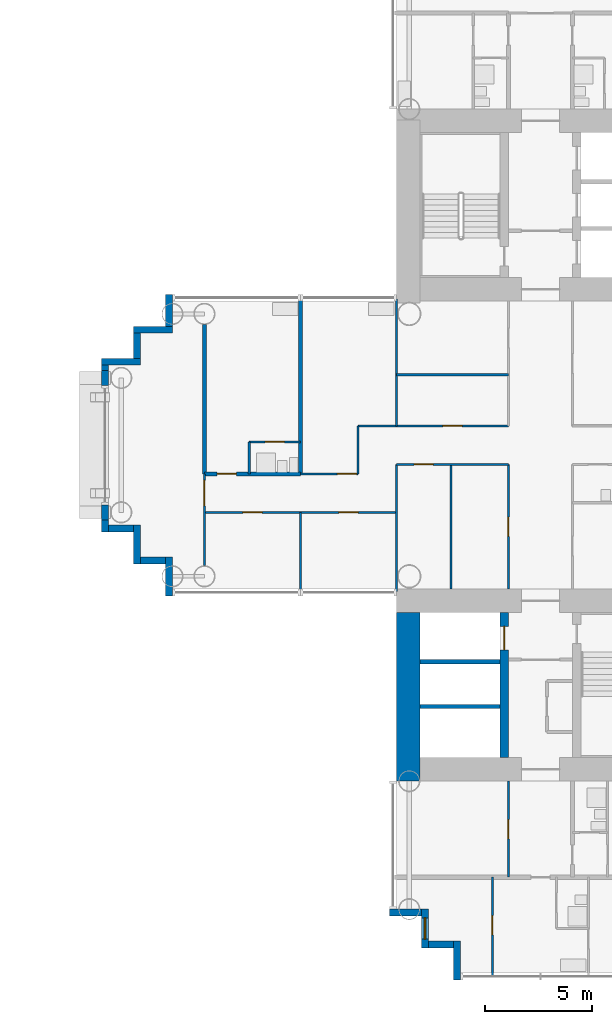
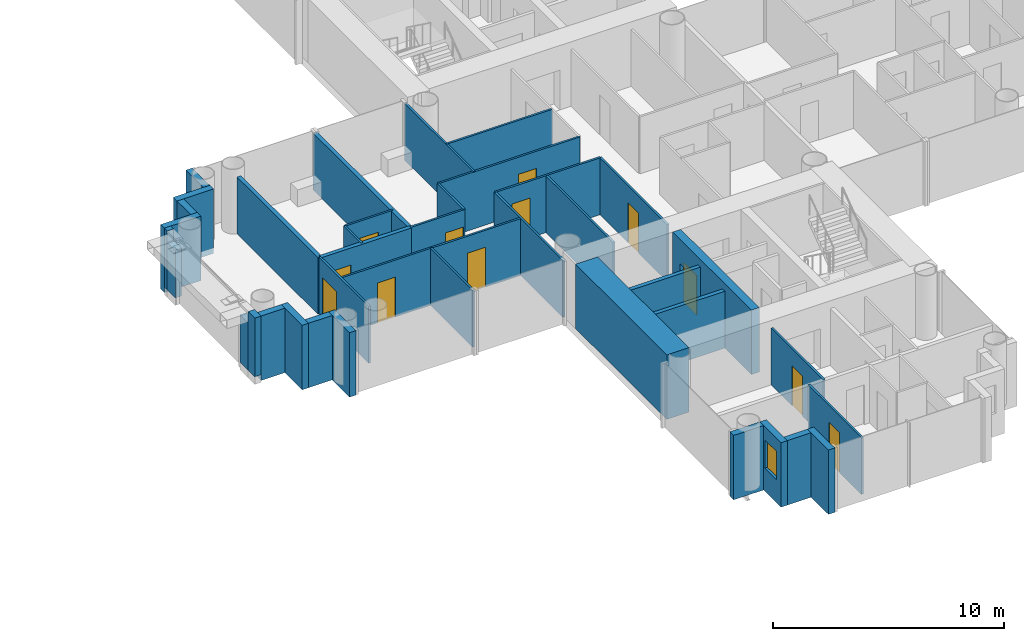
# One storey, part 13 of 22: 39 walls, 12 doors, 1 window, 13 openings.
"""IFC4 building model written with IfcOpenShell, lengths in metres."""

from ifc_helpers import new_model, si_unit, direction, frame, frame_2d, origin, place, context, subcontext, project, spatial, rectangle, extrude, material, layer, layer_set, type_object, element, fill, save


model = new_model("IFC4")

# Units and contexts
model_context = context("Model", 3, precision=1e-05, world=origin(), true_north=direction((0.0, 1.0)))
body_context = subcontext(model_context, "Body", "Model", "MODEL_VIEW")
ifc_project = project(units=[si_unit("LENGTHUNIT", "METRE"), si_unit("AREAUNIT", "SQUARE_METRE"), si_unit("VOLUMEUNIT", "CUBIC_METRE"), si_unit("PLANEANGLEUNIT", "RADIAN"), si_unit("MASSUNIT", "GRAM", prefix="KILO")], contexts=[model_context])

# Site, building, storey
site_placement = place(None, origin())
site = spatial("IfcSite", under=ifc_project, at=site_placement, CompositionType="ELEMENT")
building_placement = place(site_placement, origin())
building = spatial("IfcBuilding", under=site, at=building_placement, Name="Ipe Terrace Towers", CompositionType="ELEMENT")
storey_placement = place(building_placement, frame((0.0, 0.0, 68.699951171875)))
storey = spatial("IfcBuildingStorey", under=building, at=storey_placement, Name="L18", CompositionType="ELEMENT", Elevation=68.699951171875)

# Walls
ifc_material_1 = material(Name="Concrete C40/50 with buff precast cladding", Category="concrete")
ifc_layer_1 = layer(ifc_material_1, 0.320068359375)
ifc_layer_set_1 = layer_set([ifc_layer_1], Name="BUFF CLADDING WALL 320")
wall_type_1 = type_object("IfcWallType", Name="BUFF CLADDING WALL 320", PredefinedType="STANDARD", material=ifc_layer_set_1)
wall_1_placement = place(storey_placement, frame((18.590087890625, 7.070068359375, -0.300048828125), z_axis=(0.0, 0.0, 1.0), x_axis=(0.0, -1.0, 0.0)))
element("IfcWall", 1, at=wall_1_placement, inside=storey, type_object=wall_type_1, Name="T2-W-L18-34a wall", PredefinedType="STANDARD", context=body_context, shape_type="SweptSolid", body=[
    extrude(rectangle(XDim=1.5, YDim=0.320068359375, at=frame_2d((0.75, 0.0))), origin(), (0.0, 0.0, 1.0), 3.400146484375),
])
wall_2_placement = place(storey_placement, frame((18.75, 5.409912109375, -0.300048828125), z_axis=(0.0, 0.0, 1.0), x_axis=(-1.0, 0.0, 0.0)))
element("IfcWall", 2, at=wall_2_placement, inside=storey, type_object=wall_type_1, Name="T2-W-L18-35a wall", PredefinedType="STANDARD", context=body_context, shape_type="SweptSolid", body=[
    extrude(rectangle(XDim=1.820068359375, YDim=0.320068359375, at=frame_2d((0.91015625, 0.0))), origin(), (0.0, 0.0, 1.0), 3.400146484375),
])
wall_3_placement = place(storey_placement, frame((17.090087890625, 5.25, -0.300048828125), z_axis=(0.0, 0.0, 1.0), x_axis=(0.0, -1.0, 0.0)))
element("IfcWall", 3, at=wall_3_placement, inside=storey, type_object=wall_type_1, Name="T2-W-L18-36a wall", PredefinedType="STANDARD", context=body_context, shape_type="SweptSolid", body=[
    extrude(rectangle(XDim=1.179931640625, YDim=0.320068359375, at=frame_2d((0.58984375, 0.0))), origin(), (0.0, 0.0, 1.0), 3.400146484375),
])
wall_4_placement = place(storey_placement, frame((17.25, 3.909912109375, -0.300048828125), z_axis=(0.0, 0.0, 1.0), x_axis=(-1.0, 0.0, 0.0)))
element("IfcWall", 4, at=wall_4_placement, inside=storey, type_object=wall_type_1, Name="T2-W-L18-37a wall", PredefinedType="STANDARD", context=body_context, shape_type="SweptSolid", body=[
    extrude(rectangle(XDim=1.820068359375, YDim=0.320068359375, at=frame_2d((0.91015625, 0.0))), origin(), (0.0, 0.0, 1.0), 3.400146484375),
])
wall_5_placement = place(storey_placement, frame((15.590087890625, 3.75, 0.0), z_axis=(0.0, 0.0, 1.0), x_axis=(0.0, -1.0, 0.0)))
element("IfcWall", 5, at=wall_5_placement, inside=storey, type_object=wall_type_1, Name="T2-W-L18-38a wall", PredefinedType="STANDARD", context=body_context, shape_type="SweptSolid", body=[
    extrude(rectangle(XDim=0.25, YDim=0.320068359375, at=frame_2d((0.125, 0.0))), origin(), (0.0, 0.0, 1.0), 3.10009765625),
])
for number, where, z_axis, x_axis, name in (
    (6, (15.590087890625, 3.5, 0.0), (0.0, 0.0, 1.0), (0.0, -1.0, 0.0), "T2-W-L18-38b wall"),
    (7, (15.590087890625, -2.800048828125, 0.0), (0.0, 0.0, 1.0), (0.0, -1.0, 0.0), "T2-W-L18-38e wall"),
):
    element("IfcWall", number, at=place(storey_placement, frame(where, z_axis=z_axis, x_axis=x_axis)), inside=storey, type_object=wall_type_1, Name=name, PredefinedType="STANDARD", context=body_context, shape_type="SweptSolid", body=[
        extrude(rectangle(XDim=0.699951171875, YDim=0.320068359375, at=frame_2d((0.35009765625, 0.0))), origin(), (0.0, 0.0, 1.0), 2.510009765625),
    ])
wall_6_placement = place(storey_placement, frame((15.590087890625, -3.5, 0.0), z_axis=(0.0, 0.0, 1.0), x_axis=(0.0, -1.0, 0.0)))
element("IfcWall", 8, at=wall_6_placement, inside=storey, type_object=wall_type_1, Name="T2-W-L18-38g wall", PredefinedType="STANDARD", context=body_context, shape_type="SweptSolid", body=[
    extrude(rectangle(XDim=0.570068359375, YDim=0.320068359375, at=frame_2d((0.28515625, 0.0))), origin(), (0.0, 0.0, 1.0), 3.10009765625),
])
wall_7_placement = place(storey_placement, frame((15.75, -3.909912109375, -0.300048828125), z_axis=(0.0, 0.0, 1.0), x_axis=(1.0, 0.0, 0.0)))
element("IfcWall", 9, at=wall_7_placement, inside=storey, type_object=wall_type_1, Name="T2-W-L18-39a wall", PredefinedType="STANDARD", context=body_context, shape_type="SweptSolid", body=[
    extrude(rectangle(XDim=1.179931640625, YDim=0.320068359375, at=frame_2d((0.58984375, 0.0))), origin(), (0.0, 0.0, 1.0), 3.400146484375),
])
wall_8_placement = place(storey_placement, frame((17.090087890625, -3.75, -0.300048828125), z_axis=(0.0, 0.0, 1.0), x_axis=(0.0, -1.0, 0.0)))
element("IfcWall", 10, at=wall_8_placement, inside=storey, type_object=wall_type_1, Name="T2-W-L18-40a wall", PredefinedType="STANDARD", context=body_context, shape_type="SweptSolid", body=[
    extrude(rectangle(XDim=1.820068359375, YDim=0.320068359375, at=frame_2d((0.91015625, 0.0))), origin(), (0.0, 0.0, 1.0), 3.400146484375),
])
wall_9_placement = place(storey_placement, frame((17.25, -5.409912109375, -0.300048828125), z_axis=(0.0, 0.0, 1.0), x_axis=(1.0, 0.0, 0.0)))
element("IfcWall", 11, at=wall_9_placement, inside=storey, type_object=wall_type_1, Name="T2-W-L18-41a wall", PredefinedType="STANDARD", context=body_context, shape_type="SweptSolid", body=[
    extrude(rectangle(XDim=1.179931640625, YDim=0.320068359375, at=frame_2d((0.58984375, 0.0))), origin(), (0.0, 0.0, 1.0), 3.400146484375),
])
wall_10_placement = place(storey_placement, frame((18.590087890625, -5.25, -0.300048828125), z_axis=(0.0, 0.0, 1.0), x_axis=(0.0, -1.0, 0.0)))
element("IfcWall", 12, at=wall_10_placement, inside=storey, type_object=wall_type_1, Name="T2-W-L18-42a wall", PredefinedType="STANDARD", context=body_context, shape_type="SweptSolid", body=[
    extrude(rectangle(XDim=1.820068359375, YDim=0.320068359375, at=frame_2d((0.91015625, 0.0))), origin(), (0.0, 0.0, 1.0), 3.400146484375),
])
wall_11_placement = place(storey_placement, frame((28.929931640625, -21.909912109375, -0.300048828125), z_axis=(0.0, 0.0, 1.0), x_axis=(1.0, 0.0, 0.0)))
element("IfcWall", 13, at=wall_11_placement, inside=storey, type_object=wall_type_1, Name="T2-W-L18-47a wall", PredefinedType="STANDARD", context=body_context, shape_type="SweptSolid", body=[
    extrude(rectangle(XDim=1.5, YDim=0.320068359375, at=frame_2d((0.75, 0.0))), origin(), (0.0, 0.0, 1.0), 3.400146484375),
])

# Wall, opening, window
wall_12_placement = place(storey_placement, frame((30.590087890625, -21.75, -0.300048828125), z_axis=(0.0, 0.0, 1.0), x_axis=(0.0, -1.0, 0.0)))
wall_12 = element("IfcWall", 14, at=wall_12_placement, inside=storey, type_object=wall_type_1, Name="T2-W-L18-48a wall", PredefinedType="STANDARD", context=body_context, shape_type="SweptSolid", body=[
    extrude(rectangle(XDim=1.820068359375, YDim=0.320068359375, at=frame_2d((0.91015625, 0.0))), origin(), (0.0, 0.0, 1.0), 3.400146484375),
])
opening_1_placement = place(wall_12_placement, frame((0.409912109375, 0.0, 1.199951171875)))
opening_1 = element("IfcOpeningElement", 15, at=opening_1_placement, cuts=wall_12, Name="Opening T2-W-05-L18-04", PredefinedType="OPENING", context=body_context, shape_type="SweptSolid", body=[
    extrude(rectangle(XDim=1.0, YDim=1.5, at=frame_2d((0.5, 0.75))), frame((0.0, 0.169921875, 0.0), z_axis=(0.0, -1.0, 0.0), x_axis=(1.0, 0.0, 0.0)), (0.0, 0.0, 1.0), 0.340087890625),
])
ifc_material_2 = material(Name="Glass, clear laminated", Category="glass")
window_type = type_object("IfcWindowType", Name="DWELLING WINDOW 1000 x 1500", PartitioningType="SINGLE_PANEL", PredefinedType="WINDOW", material=ifc_material_2)
window_placement = place(opening_1_placement, origin())
window = element("IfcWindow", 16, at=window_placement, inside=storey, type_object=window_type, Name="W-05 window", OverallHeight=1.5, OverallWidth=1.0, PartitioningType="SINGLE_PANEL", PredefinedType="WINDOW", context=body_context, shape_type="SweptSolid", body=[
    extrude(rectangle(XDim=1.0, YDim=1.5, at=frame_2d((0.5, 0.75))), frame((0.0, 0.030029296875, 0.0), z_axis=(0.0, -1.0, 0.0), x_axis=(1.0, 0.0, 0.0)), (0.0, 0.0, 1.0), 0.06005859375),
])
fill(opening_1, window)

# Walls
wall_13_placement = place(storey_placement, frame((30.75, -23.409912109375, -0.300048828125), z_axis=(0.0, 0.0, 1.0), x_axis=(1.0, 0.0, 0.0)))
element("IfcWall", 17, at=wall_13_placement, inside=storey, type_object=wall_type_1, Name="T2-W-L18-49a wall", PredefinedType="STANDARD", context=body_context, shape_type="SweptSolid", body=[
    extrude(rectangle(XDim=1.179931640625, YDim=0.320068359375, at=frame_2d((0.58984375, 0.0))), origin(), (0.0, 0.0, 1.0), 3.400146484375),
])
wall_14_placement = place(storey_placement, frame((32.090087890625, -23.25, -0.300048828125), z_axis=(0.0, 0.0, 1.0), x_axis=(0.0, -1.0, 0.0)))
element("IfcWall", 18, at=wall_14_placement, inside=storey, type_object=wall_type_1, Name="T2-W-L18-50a wall", PredefinedType="STANDARD", context=body_context, shape_type="SweptSolid", body=[
    extrude(rectangle(XDim=1.820068359375, YDim=0.320068359375, at=frame_2d((0.91015625, 0.0))), origin(), (0.0, 0.0, 1.0), 3.400146484375),
])

# Wall, openings, doors
ifc_material_3 = material(Name="Gypsum board partition", Category="plasterboard")
ifc_layer_2 = layer(ifc_material_3, 0.10009765625)
ifc_layer_set_2 = layer_set([ifc_layer_2], Name="Gypsum board partition 100 mm")
wall_type_2 = type_object("IfcWallType", Name="Gypsum board partition 100 mm", PredefinedType="PARTITIONING", material=ifc_layer_set_2)
wall_15_placement = place(storey_placement, frame((29.25, -3.14990234375, 0.0), z_axis=(0.0, 0.0, 1.0), x_axis=(-1.0, 0.0, 0.0)))
wall_15 = element("IfcWall", 19, at=wall_15_placement, inside=storey, type_object=wall_type_2, Name="Gypsum board partition T2 L18 W05", PredefinedType="PARTITIONING", context=body_context, shape_type="SweptSolid", body=[
    extrude(rectangle(XDim=9.0, YDim=0.10009765625, at=frame_2d((4.5, 0.0))), origin(), (0.0, 0.0, 1.0), 3.0),
])
opening_2_placement = place(wall_15_placement, frame((1.800048828125, 0.0, 0.0)))
opening_2 = element("IfcOpeningElement", 20, at=opening_2_placement, cuts=wall_15, Name="Opening T2-Z1F-09", PredefinedType="OPENING", context=body_context, shape_type="SweptSolid", body=[
    extrude(rectangle(XDim=0.89990234375, YDim=2.10009765625, at=frame_2d((0.449951171875, 1.050048828125))), frame((0.0, 0.06005859375, 0.0), z_axis=(0.0, -1.0, 0.0), x_axis=(1.0, 0.0, 0.0)), (0.0, 0.0, 1.0), 0.1201171875),
])
opening_3_placement = place(wall_15_placement, frame((6.300048828125, 0.0, 0.0)))
opening_3 = element("IfcOpeningElement", 21, at=opening_3_placement, cuts=wall_15, Name="Opening T2-Z1F-10", PredefinedType="OPENING", context=body_context, shape_type="SweptSolid", body=[
    extrude(rectangle(XDim=0.89990234375, YDim=2.10009765625, at=frame_2d((0.449951171875, 1.050048828125))), frame((0.0, 0.06005859375, 0.0), z_axis=(0.0, -1.0, 0.0), x_axis=(1.0, 0.0, 0.0)), (0.0, 0.0, 1.0), 0.1201171875),
])
ifc_material_4 = material(Name="Timber door leaf", Category="wood")
door_type_1 = type_object("IfcDoorType", Name="Lounge door 900 x 2100", OperationType="NOTDEFINED", PredefinedType="DOOR", material=ifc_material_4)
door_1_placement = place(opening_2_placement, origin())
door_1 = element("IfcDoor", 22, at=door_1_placement, inside=storey, type_object=door_type_1, Name="Lounge door T2-Z1F-09", OperationType="SINGLE_SWING_RIGHT", OverallHeight=2.10009765625, OverallWidth=0.89990234375, PredefinedType="DOOR", context=body_context, shape_type="SweptSolid", body=[
    extrude(rectangle(XDim=0.89990234375, YDim=2.10009765625, at=frame_2d((0.449951171875, 1.050048828125))), frame((0.0, 0.02490234375, 0.0), z_axis=(0.0, -1.0, 0.0), x_axis=(1.0, 0.0, 0.0)), (0.0, 0.0, 1.0), 0.050048828125),
])
fill(opening_2, door_1)
door_2_placement = place(opening_3_placement, origin())
door_2 = element("IfcDoor", 23, at=door_2_placement, inside=storey, type_object=door_type_1, Name="Lounge door T2-Z1F-10", OperationType="SINGLE_SWING_LEFT", OverallHeight=2.10009765625, OverallWidth=0.89990234375, PredefinedType="DOOR", context=body_context, shape_type="SweptSolid", body=[
    extrude(rectangle(XDim=0.89990234375, YDim=2.10009765625, at=frame_2d((0.449951171875, 1.050048828125))), frame((0.0, 0.02490234375, 0.0), z_axis=(0.0, -1.0, 0.0), x_axis=(1.0, 0.0, 0.0)), (0.0, 0.0, 1.0), 0.050048828125),
])
fill(opening_3, door_2)

# Wall, opening, door
wall_16_placement = place(storey_placement, frame((27.449951171875, -1.35009765625, 0.0), z_axis=(0.0, 0.0, 1.0), x_axis=(-1.0, 0.0, 0.0)))
wall_16 = element("IfcWall", 24, at=wall_16_placement, inside=storey, type_object=wall_type_2, Name="Gypsum board partition T2 L18 W08", PredefinedType="PARTITIONING", context=body_context, shape_type="SweptSolid", body=[
    extrude(rectangle(XDim=2.699951171875, YDim=0.10009765625, at=frame_2d((1.35009765625, 0.0))), origin(), (0.0, 0.0, 1.0), 3.0),
])
opening_4_placement = place(wall_16_placement, frame((0.070068359375, 0.0, 0.0)))
opening_4 = element("IfcOpeningElement", 25, at=opening_4_placement, cuts=wall_16, Name="Opening T2-Z1F-11", PredefinedType="OPENING", context=body_context, shape_type="SweptSolid", body=[
    extrude(rectangle(XDim=0.89990234375, YDim=2.10009765625, at=frame_2d((0.449951171875, 1.050048828125))), frame((0.0, 0.06005859375, 0.0), z_axis=(0.0, -1.0, 0.0), x_axis=(1.0, 0.0, 0.0)), (0.0, 0.0, 1.0), 0.1201171875),
])
door_3_placement = place(opening_4_placement, origin())
door_3 = element("IfcDoor", 26, at=door_3_placement, inside=storey, type_object=door_type_1, Name="Lounge door T2-Z1F-11", OperationType="SINGLE_SWING_LEFT", OverallHeight=2.10009765625, OverallWidth=0.89990234375, PredefinedType="DOOR", context=body_context, shape_type="SweptSolid", body=[
    extrude(rectangle(XDim=0.89990234375, YDim=2.10009765625, at=frame_2d((0.449951171875, 1.050048828125))), frame((0.0, 0.02490234375, 0.0), z_axis=(0.0, -1.0, 0.0), x_axis=(1.0, 0.0, 0.0)), (0.0, 0.0, 1.0), 0.050048828125),
])
fill(opening_4, door_3)

wall_17_placement = place(storey_placement, frame((34.5, -0.89990234375, 0.0), z_axis=(0.0, 0.0, 1.0), x_axis=(-1.0, 0.0, 0.0)))
wall_17 = element("IfcWall", 27, at=wall_17_placement, inside=storey, type_object=wall_type_2, Name="Gypsum board partition T2 L18 W11", PredefinedType="PARTITIONING", context=body_context, shape_type="SweptSolid", body=[
    extrude(rectangle(XDim=5.25, YDim=0.10009765625, at=frame_2d((2.625, 0.0))), origin(), (0.0, 0.0, 1.0), 3.0),
])
opening_5_placement = place(wall_17_placement, frame((3.52490234375, 0.0, 0.0)))
opening_5 = element("IfcOpeningElement", 28, at=opening_5_placement, cuts=wall_17, Name="Opening T2-Z1F-05", PredefinedType="OPENING", context=body_context, shape_type="SweptSolid", body=[
    extrude(rectangle(XDim=0.89990234375, YDim=2.10009765625, at=frame_2d((0.449951171875, 1.050048828125))), frame((0.0, 0.06005859375, 0.0), z_axis=(0.0, -1.0, 0.0), x_axis=(1.0, 0.0, 0.0)), (0.0, 0.0, 1.0), 0.1201171875),
])
door_4_placement = place(opening_5_placement, origin())
door_4 = element("IfcDoor", 29, at=door_4_placement, inside=storey, type_object=door_type_1, Name="Lounge door T2-Z1F-05", OperationType="SINGLE_SWING_LEFT", OverallHeight=2.10009765625, OverallWidth=0.89990234375, PredefinedType="DOOR", context=body_context, shape_type="SweptSolid", body=[
    extrude(rectangle(XDim=0.89990234375, YDim=2.10009765625, at=frame_2d((0.449951171875, 1.050048828125))), frame((0.0, 0.02490234375, 0.0), z_axis=(0.0, -1.0, 0.0), x_axis=(1.0, 0.0, 0.0)), (0.0, 0.0, 1.0), 0.050048828125),
])
fill(opening_5, door_4)

wall_18_placement = place(storey_placement, frame((24.75, 0.14990234375, 0.0), z_axis=(0.0, 0.0, 1.0), x_axis=(-1.0, 0.0, 0.0)))
wall_18 = element("IfcWall", 30, at=wall_18_placement, inside=storey, type_object=wall_type_2, Name="Gypsum board partition T2 L18 W14", PredefinedType="PARTITIONING", context=body_context, shape_type="SweptSolid", body=[
    extrude(rectangle(XDim=2.39990234375, YDim=0.10009765625, at=frame_2d((1.199951171875, 0.0))), origin(), (0.0, 0.0, 1.0), 3.0),
])
opening_6_placement = place(wall_18_placement, frame((0.75, 0.0, 0.0)))
opening_6 = element("IfcOpeningElement", 31, at=opening_6_placement, cuts=wall_18, Name="Opening T2-Z1F-13", PredefinedType="OPENING", context=body_context, shape_type="SweptSolid", body=[
    extrude(rectangle(XDim=0.89990234375, YDim=2.10009765625, at=frame_2d((0.449951171875, 1.050048828125))), frame((0.0, 0.06005859375, 0.0), z_axis=(0.0, -1.0, 0.0), x_axis=(1.0, 0.0, 0.0)), (0.0, 0.0, 1.0), 0.1201171875),
])
ifc_material_5 = material(Name="Timber door leaf", Category="wood")
door_type_2 = type_object("IfcDoorType", Name="Bathroom door 900 x 2100", OperationType="NOTDEFINED", PredefinedType="DOOR", material=ifc_material_5)
door_5_placement = place(opening_6_placement, origin())
door_5 = element("IfcDoor", 32, at=door_5_placement, inside=storey, type_object=door_type_2, Name="Bathroom door T2-Z1F-13", OperationType="SINGLE_SWING_RIGHT", OverallHeight=2.10009765625, OverallWidth=0.89990234375, PredefinedType="DOOR", context=body_context, shape_type="SweptSolid", body=[
    extrude(rectangle(XDim=0.89990234375, YDim=2.10009765625, at=frame_2d((0.449951171875, 1.050048828125))), frame((0.0, 0.02490234375, 0.0), z_axis=(0.0, -1.0, 0.0), x_axis=(1.0, 0.0, 0.0)), (0.0, 0.0, 1.0), 0.050048828125),
])
fill(opening_6, door_5)

wall_19_placement = place(storey_placement, frame((34.5, 0.89990234375, 0.0), z_axis=(0.0, 0.0, 1.0), x_axis=(-1.0, 0.0, 0.0)))
wall_19 = element("IfcWall", 33, at=wall_19_placement, inside=storey, type_object=wall_type_2, Name="Gypsum board partition T2 L18 W17", PredefinedType="PARTITIONING", context=body_context, shape_type="SweptSolid", body=[
    extrude(rectangle(XDim=7.050048828125, YDim=0.10009765625, at=frame_2d((3.52490234375, 0.0))), origin(), (0.0, 0.0, 1.0), 3.0),
])
opening_7_placement = place(wall_19_placement, frame((2.175048828125, 0.0, 0.0)))
opening_7 = element("IfcOpeningElement", 34, at=opening_7_placement, cuts=wall_19, Name="Opening T2-Z1F-02", PredefinedType="OPENING", context=body_context, shape_type="SweptSolid", body=[
    extrude(rectangle(XDim=0.89990234375, YDim=2.10009765625, at=frame_2d((0.449951171875, 1.050048828125))), frame((0.0, 0.06005859375, 0.0), z_axis=(0.0, -1.0, 0.0), x_axis=(1.0, 0.0, 0.0)), (0.0, 0.0, 1.0), 0.1201171875),
])
door_6_placement = place(opening_7_placement, origin())
door_6 = element("IfcDoor", 35, at=door_6_placement, inside=storey, type_object=door_type_1, Name="Lounge door T2-Z1F-02", OperationType="SINGLE_SWING_LEFT", OverallHeight=2.10009765625, OverallWidth=0.89990234375, PredefinedType="DOOR", context=body_context, shape_type="SweptSolid", body=[
    extrude(rectangle(XDim=0.89990234375, YDim=2.10009765625, at=frame_2d((0.449951171875, 1.050048828125))), frame((0.0, 0.02490234375, 0.0), z_axis=(0.0, -1.0, 0.0), x_axis=(1.0, 0.0, 0.0)), (0.0, 0.0, 1.0), 0.050048828125),
])
fill(opening_7, door_6)

# Wall
wall_20_placement = place(storey_placement, frame((34.5, 3.300048828125, 0.0), z_axis=(0.0, 0.0, 1.0), x_axis=(-1.0, 0.0, 0.0)))
element("IfcWall", 36, at=wall_20_placement, inside=storey, type_object=wall_type_2, Name="Gypsum board partition T2 L18 W19", PredefinedType="PARTITIONING", context=body_context, shape_type="SweptSolid", body=[
    extrude(rectangle(XDim=5.25, YDim=0.10009765625, at=frame_2d((2.625, 0.0))), origin(), (0.0, 0.0, 1.0), 3.0),
])

# Wall, opening, door
wall_21_placement = place(storey_placement, frame((34.5, -20.25, 0.0), z_axis=(0.0, 0.0, 1.0), x_axis=(0.0, 1.0, 0.0)))
wall_21 = element("IfcWall", 37, at=wall_21_placement, inside=storey, type_object=wall_type_2, Name="Gypsum board partition T2 L18 W43", PredefinedType="PARTITIONING", context=body_context, shape_type="SweptSolid", body=[
    extrude(rectangle(XDim=4.5, YDim=0.10009765625, at=frame_2d((2.25, 0.0))), origin(), (0.0, 0.0, 1.0), 3.0),
])
opening_8_placement = place(wall_21_placement, frame((1.800048828125, 0.0, 0.0)))
opening_8 = element("IfcOpeningElement", 38, at=opening_8_placement, cuts=wall_21, Name="Opening T2-Z1F-35", PredefinedType="OPENING", context=body_context, shape_type="SweptSolid", body=[
    extrude(rectangle(XDim=0.89990234375, YDim=2.10009765625, at=frame_2d((0.449951171875, 1.050048828125))), frame((0.0, 0.06005859375, 0.0), z_axis=(0.0, -1.0, 0.0), x_axis=(1.0, 0.0, 0.0)), (0.0, 0.0, 1.0), 0.1201171875),
])
door_7_placement = place(opening_8_placement, origin())
door_7 = element("IfcDoor", 39, at=door_7_placement, inside=storey, type_object=door_type_1, Name="Lounge door T2-Z1F-35", OperationType="SINGLE_SWING_LEFT", OverallHeight=2.10009765625, OverallWidth=0.89990234375, PredefinedType="DOOR", context=body_context, shape_type="SweptSolid", body=[
    extrude(rectangle(XDim=0.89990234375, YDim=2.10009765625, at=frame_2d((0.449951171875, 1.050048828125))), frame((0.0, 0.02490234375, 0.0), z_axis=(0.0, -1.0, 0.0), x_axis=(1.0, 0.0, 0.0)), (0.0, 0.0, 1.0), 0.050048828125),
])
fill(opening_8, door_7)

wall_22_placement = place(storey_placement, frame((34.5, -6.75, 0.0), z_axis=(0.0, 0.0, 1.0), x_axis=(0.0, 1.0, 0.0)))
wall_22 = element("IfcWall", 40, at=wall_22_placement, inside=storey, type_object=wall_type_2, Name="Gypsum board partition T2 L18 W44", PredefinedType="PARTITIONING", context=body_context, shape_type="SweptSolid", body=[
    extrude(rectangle(XDim=5.85009765625, YDim=0.10009765625, at=frame_2d((2.925048828125, 0.0))), origin(), (0.0, 0.0, 1.0), 3.0),
])
opening_9_placement = place(wall_22_placement, frame((2.47509765625, 0.0, 0.0)))
opening_9 = element("IfcOpeningElement", 41, at=opening_9_placement, cuts=wall_22, Name="Opening T2-Z1F-04", PredefinedType="OPENING", context=body_context, shape_type="SweptSolid", body=[
    extrude(rectangle(XDim=0.89990234375, YDim=2.10009765625, at=frame_2d((0.449951171875, 1.050048828125))), frame((0.0, 0.06005859375, 0.0), z_axis=(0.0, -1.0, 0.0), x_axis=(1.0, 0.0, 0.0)), (0.0, 0.0, 1.0), 0.1201171875),
])
door_8_placement = place(opening_9_placement, origin())
door_8 = element("IfcDoor", 42, at=door_8_placement, inside=storey, type_object=door_type_1, Name="Lounge door T2-Z1F-04", OperationType="SINGLE_SWING_RIGHT", OverallHeight=2.10009765625, OverallWidth=0.89990234375, PredefinedType="DOOR", context=body_context, shape_type="SweptSolid", body=[
    extrude(rectangle(XDim=0.89990234375, YDim=2.10009765625, at=frame_2d((0.449951171875, 1.050048828125))), frame((0.0, 0.02490234375, 0.0), z_axis=(0.0, -1.0, 0.0), x_axis=(1.0, 0.0, 0.0)), (0.0, 0.0, 1.0), 0.050048828125),
])
fill(opening_9, door_8)

wall_23_placement = place(storey_placement, frame((33.75, -24.85009765625, 0.0), z_axis=(0.0, 0.0, 1.0), x_axis=(0.0, 1.0, 0.0)))
wall_23 = element("IfcWall", 43, at=wall_23_placement, inside=storey, type_object=wall_type_2, Name="Gypsum board partition T2 L18 W47", PredefinedType="PARTITIONING", context=body_context, shape_type="SweptSolid", body=[
    extrude(rectangle(XDim=4.60009765625, YDim=0.10009765625, at=frame_2d((2.300048828125, 0.0))), origin(), (0.0, 0.0, 1.0), 3.0),
])
opening_10_placement = place(wall_23_placement, frame((1.89990234375, 0.0, 0.0)))
opening_10 = element("IfcOpeningElement", 44, at=opening_10_placement, cuts=wall_23, Name="Opening T2-Z1F-39", PredefinedType="OPENING", context=body_context, shape_type="SweptSolid", body=[
    extrude(rectangle(XDim=0.89990234375, YDim=2.10009765625, at=frame_2d((0.449951171875, 1.050048828125))), frame((0.0, 0.06005859375, 0.0), z_axis=(0.0, -1.0, 0.0), x_axis=(1.0, 0.0, 0.0)), (0.0, 0.0, 1.0), 0.1201171875),
])
ifc_material_6 = material(Name="Timber door leaf", Category="wood")
door_type_3 = type_object("IfcDoorType", Name="Bedroom door 900 x 2100", OperationType="NOTDEFINED", PredefinedType="DOOR", material=ifc_material_6)
door_9_placement = place(opening_10_placement, origin())
door_9 = element("IfcDoor", 45, at=door_9_placement, inside=storey, type_object=door_type_3, Name="Bedroom door T2-Z1F-39", OperationType="SINGLE_SWING_LEFT", OverallHeight=2.10009765625, OverallWidth=0.89990234375, PredefinedType="DOOR", context=body_context, shape_type="SweptSolid", body=[
    extrude(rectangle(XDim=0.89990234375, YDim=2.10009765625, at=frame_2d((0.449951171875, 1.050048828125))), frame((0.0, 0.02490234375, 0.0), z_axis=(0.0, -1.0, 0.0), x_axis=(1.0, 0.0, 0.0)), (0.0, 0.0, 1.0), 0.050048828125),
])
fill(opening_10, door_9)

# Walls
wall_24_placement = place(storey_placement, frame((31.800048828125, -6.75, 0.0), z_axis=(0.0, 0.0, 1.0), x_axis=(0.0, 1.0, 0.0)))
element("IfcWall", 46, at=wall_24_placement, inside=storey, type_object=wall_type_2, Name="Gypsum board partition T2 L18 W49", PredefinedType="PARTITIONING", context=body_context, shape_type="SweptSolid", body=[
    extrude(rectangle(XDim=5.85009765625, YDim=0.10009765625, at=frame_2d((2.925048828125, 0.0))), origin(), (0.0, 0.0, 1.0), 3.0),
])
for number, where, z_axis, x_axis, name in (
    (47, (29.25, -6.85009765625, 0.0), (0.0, 0.0, 1.0), (0.0, 1.0, 0.0), "Gypsum board partition T2 L18 W50"),
    (48, (29.25, 0.89990234375, 0.0), (0.0, 0.0, 1.0), (0.0, 1.0, 0.0), "Gypsum board partition T2 L18 W51"),
):
    element("IfcWall", number, at=place(storey_placement, frame(where, z_axis=z_axis, x_axis=x_axis)), inside=storey, type_object=wall_type_2, Name=name, PredefinedType="PARTITIONING", context=body_context, shape_type="SweptSolid", body=[
        extrude(rectangle(XDim=5.9501953125, YDim=0.10009765625, at=frame_2d((2.97509765625, 0.0))), origin(), (0.0, 0.0, 1.0), 3.0),
    ])
wall_25_placement = place(storey_placement, frame((27.449951171875, -1.35009765625, 0.0), z_axis=(0.0, 0.0, 1.0), x_axis=(0.0, 1.0, 0.0)))
element("IfcWall", 49, at=wall_25_placement, inside=storey, type_object=wall_type_2, Name="Gypsum board partition T2 L18 W52", PredefinedType="PARTITIONING", context=body_context, shape_type="SweptSolid", body=[
    extrude(rectangle(XDim=2.25, YDim=0.10009765625, at=frame_2d((1.125, 0.0))), origin(), (0.0, 0.0, 1.0), 3.0),
])
wall_26_placement = place(storey_placement, frame((24.75, -6.85009765625, 0.0), z_axis=(0.0, 0.0, 1.0), x_axis=(0.0, 1.0, 0.0)))
element("IfcWall", 50, at=wall_26_placement, inside=storey, type_object=wall_type_2, Name="Gypsum board partition T2 L18 W53", PredefinedType="PARTITIONING", context=body_context, shape_type="SweptSolid", body=[
    extrude(rectangle(XDim=3.7001953125, YDim=0.10009765625, at=frame_2d((1.85009765625, 0.0))), origin(), (0.0, 0.0, 1.0), 3.0),
])
wall_27_placement = place(storey_placement, frame((22.35009765625, -1.35009765625, 0.0), z_axis=(0.0, 0.0, 1.0), x_axis=(0.0, 1.0, 0.0)))
element("IfcWall", 51, at=wall_27_placement, inside=storey, type_object=wall_type_2, Name="Gypsum board partition T2 L18 W55", PredefinedType="PARTITIONING", context=body_context, shape_type="SweptSolid", body=[
    extrude(rectangle(XDim=1.5, YDim=0.10009765625, at=frame_2d((0.75, 0.0))), origin(), (0.0, 0.0, 1.0), 3.0),
])

# Wall, opening, door
wall_28_placement = place(storey_placement, frame((20.25, -5.64990234375, 0.0), z_axis=(0.0, 0.0, 1.0), x_axis=(0.0, 1.0, 0.0)))
wall_28 = element("IfcWall", 52, at=wall_28_placement, inside=storey, type_object=wall_type_2, Name="Gypsum board partition T2 L18 W56", PredefinedType="PARTITIONING", context=body_context, shape_type="SweptSolid", body=[
    extrude(rectangle(XDim=4.2998046875, YDim=0.10009765625, at=frame_2d((2.14990234375, 0.0))), origin(), (0.0, 0.0, 1.0), 3.0),
])
opening_11_placement = place(wall_28_placement, frame((2.800048828125, 0.0, 0.0)))
opening_11 = element("IfcOpeningElement", 53, at=opening_11_placement, cuts=wall_28, Name="Opening T2-Z1F-14", PredefinedType="OPENING", context=body_context, shape_type="SweptSolid", body=[
    extrude(rectangle(XDim=1.199951171875, YDim=2.10009765625, at=frame_2d((0.60009765625, 1.050048828125))), frame((0.0, 0.06005859375, 0.0), z_axis=(0.0, -1.0, 0.0), x_axis=(1.0, 0.0, 0.0)), (0.0, 0.0, 1.0), 0.1201171875),
])
ifc_material_7 = material(Name="Timber door leaf", Category="wood")
door_type_4 = type_object("IfcDoorType", Name="Lounge door 1200 x 2100", OperationType="NOTDEFINED", PredefinedType="DOOR", material=ifc_material_7)
door_10_placement = place(opening_11_placement, origin())
door_10 = element("IfcDoor", 54, at=door_10_placement, inside=storey, type_object=door_type_4, Name="Lounge door T2-Z1F-14", OperationType="SINGLE_SWING_LEFT", OverallHeight=2.10009765625, OverallWidth=1.199951171875, PredefinedType="DOOR", context=body_context, shape_type="SweptSolid", body=[
    extrude(rectangle(XDim=1.199951171875, YDim=2.10009765625, at=frame_2d((0.60009765625, 1.050048828125))), frame((0.0, 0.02490234375, 0.0), z_axis=(0.0, -1.0, 0.0), x_axis=(1.0, 0.0, 0.0)), (0.0, 0.0, 1.0), 0.050048828125),
])
fill(opening_11, door_10)

# Walls
ifc_material_8 = material(Name="Gypsum board party wall", Category="plasterboard")
ifc_layer_3 = layer(ifc_material_8, 0.199951171875)
ifc_layer_set_3 = layer_set([ifc_layer_3], Name="Gypsum board party wall 200 mm")
wall_type_3 = type_object("IfcWallType", Name="Gypsum board party wall 200 mm", PredefinedType="SOLIDWALL", material=ifc_layer_set_3)
for number, where, z_axis, x_axis, name in (
    (55, (30.35009765625, -10.14990234375, 0.0), (0.0, 0.0, 1.0), (1.0, 0.0, 0.0), "Gypsum board party wall T2 L18 t2c2-shaft-div1"),
    (56, (30.35009765625, -12.25, 0.0), (0.0, 0.0, 1.0), (1.0, 0.0, 0.0), "Gypsum board party wall T2 L18 t2c2-shaft-div2"),
):
    element("IfcWall", number, at=place(storey_placement, frame(where, z_axis=z_axis, x_axis=x_axis)), inside=storey, type_object=wall_type_3, Name=name, PredefinedType="SOLIDWALL", context=body_context, shape_type="SweptSolid", body=[
        extrude(rectangle(XDim=3.75, YDim=0.199951171875, at=frame_2d((1.875, 0.0))), origin(), (0.0, 0.0, 1.0), 3.0),
    ])

# Wall, opening, door
wall_29_placement = place(storey_placement, frame((24.75, -1.35009765625, 0.0), z_axis=(0.0, 0.0, 1.0), x_axis=(-1.0, 0.0, 0.0)))
wall_29 = element("IfcWall", 57, at=wall_29_placement, inside=storey, type_object=wall_type_3, Name="Gypsum board party wall T2 L18 W09", PredefinedType="SOLIDWALL", context=body_context, shape_type="SweptSolid", body=[
    extrude(rectangle(XDim=4.5, YDim=0.199951171875, at=frame_2d((2.25, 0.0))), origin(), (0.0, 0.0, 1.0), 3.0),
])
opening_12_placement = place(wall_29_placement, frame((3.0, 0.0, 0.0)))
opening_12 = element("IfcOpeningElement", 58, at=opening_12_placement, cuts=wall_29, Name="Opening T2-Z1F-12", PredefinedType="OPENING", context=body_context, shape_type="SweptSolid", body=[
    extrude(rectangle(XDim=0.89990234375, YDim=2.10009765625, at=frame_2d((0.449951171875, 1.050048828125))), frame((0.0, 0.10986328125, 0.0), z_axis=(0.0, -1.0, 0.0), x_axis=(1.0, 0.0, 0.0)), (0.0, 0.0, 1.0), 0.219970703125),
])
ifc_material_9 = material(Name="Fire-rated timber door leaf", Category="wood")
door_type_5 = type_object("IfcDoorType", Name="Flat entrance door 900 x 2100 FD30S", OperationType="NOTDEFINED", PredefinedType="DOOR", material=ifc_material_9)
door_11_placement = place(opening_12_placement, origin())
door_11 = element("IfcDoor", 59, at=door_11_placement, inside=storey, type_object=door_type_5, Name="Flat entrance door T2-Z1F-12", OperationType="SINGLE_SWING_RIGHT", OverallHeight=2.10009765625, OverallWidth=0.89990234375, PredefinedType="DOOR", context=body_context, shape_type="SweptSolid", body=[
    extrude(rectangle(XDim=0.89990234375, YDim=2.10009765625, at=frame_2d((0.449951171875, 1.050048828125))), frame((0.0, 0.02490234375, 0.0), z_axis=(0.0, -1.0, 0.0), x_axis=(1.0, 0.0, 0.0)), (0.0, 0.0, 1.0), 0.050048828125),
])
fill(opening_12, door_11)

# Walls
wall_30_placement = place(storey_placement, frame((24.75, -1.35009765625, 0.0), z_axis=(0.0, 0.0, 1.0), x_axis=(0.0, 1.0, 0.0)))
element("IfcWall", 60, at=wall_30_placement, inside=storey, type_object=wall_type_3, Name="Gypsum board party wall T2 L18 W54", PredefinedType="SOLIDWALL", context=body_context, shape_type="SweptSolid", body=[
    extrude(rectangle(XDim=8.2001953125, YDim=0.199951171875, at=frame_2d((4.10009765625, 0.0))), origin(), (0.0, 0.0, 1.0), 3.0),
])
wall_31_placement = place(storey_placement, frame((20.25, -1.35009765625, 0.0), z_axis=(0.0, 0.0, 1.0), x_axis=(0.0, 1.0, 0.0)))
element("IfcWall", 61, at=wall_31_placement, inside=storey, type_object=wall_type_3, Name="Gypsum board party wall T2 L18 W57", PredefinedType="SOLIDWALL", context=body_context, shape_type="SweptSolid", body=[
    extrude(rectangle(XDim=7.0, YDim=0.199951171875, at=frame_2d((3.5, 0.0))), origin(), (0.0, 0.0, 1.0), 3.0),
])
ifc_material_10 = material(Name="Concrete C60/75", Category="concrete")
ifc_layer_4 = layer(ifc_material_10, 1.10009765625)
ifc_layer_set_4 = layer_set([ifc_layer_4], Name="RW1100 CORE WALL 1100 C60-75")
wall_type_4 = type_object("IfcWallType", Name="RW1100 CORE WALL 1100 C60-75", PredefinedType="SHEAR", material=ifc_layer_set_4)
wall_32_placement = place(storey_placement, frame((29.800048828125, -7.85009765625, 0.0), z_axis=(0.0, 0.0, 1.0), x_axis=(0.0, -1.0, 0.0)))
element("IfcWall", 62, at=wall_32_placement, inside=storey, type_object=wall_type_4, Name="Core wall T2-C2-Z1-W04", PredefinedType="SHEAR", context=body_context, shape_type="SweptSolid", body=[
    extrude(rectangle(XDim=7.89990234375, YDim=1.10009765625, at=frame_2d((3.949951171875, 0.0))), origin(), (0.0, 0.0, 1.0), 3.400146484375),
])

# Wall, opening, door
ifc_material_11 = material(Name="Concrete C60/75", Category="concrete")
ifc_layer_5 = layer(ifc_material_11, 0.39990234375)
ifc_layer_set_5 = layer_set([ifc_layer_5], Name="RW400 CORE SPINE WALL 400 C60-75")
wall_type_5 = type_object("IfcWallType", Name="RW400 CORE SPINE WALL 400 C60-75", PredefinedType="SHEAR", material=ifc_layer_set_5)
wall_33_placement = place(storey_placement, frame((34.300048828125, -14.64990234375, 0.0), z_axis=(0.0, 0.0, 1.0), x_axis=(0.0, 1.0, 0.0)))
wall_33 = element("IfcWall", 63, at=wall_33_placement, inside=storey, type_object=wall_type_5, Name="Core spine wall T2-C2-Z1-SW1", PredefinedType="SHEAR", context=body_context, shape_type="SweptSolid", body=[
    extrude(rectangle(XDim=6.7998046875, YDim=0.39990234375, at=frame_2d((3.39990234375, 0.0))), origin(), (0.0, 0.0, 1.0), 3.400146484375),
])
opening_13_placement = place(wall_33_placement, frame((5.050048828125, 0.0, 0.0)))
opening_13 = element("IfcOpeningElement", 64, at=opening_13_placement, cuts=wall_33, Name="Opening T2C2-LD1", PredefinedType="OPENING", context=body_context, shape_type="SweptSolid", body=[
    extrude(rectangle(XDim=1.10009765625, YDim=2.10009765625, at=frame_2d((0.550048828125, 1.050048828125))), frame((0.0, 0.2099609375, 0.0), z_axis=(0.0, -1.0, 0.0), x_axis=(1.0, 0.0, 0.0)), (0.0, 0.0, 1.0), 0.419921875),
])
ifc_material_12 = material(Name="Fire-rated timber door leaf", Category="wood")
door_type_6 = type_object("IfcDoorType", Name="Sliding door 1100 x 2100 FD60", OperationType="SLIDING_TO_LEFT", PredefinedType="DOOR", material=ifc_material_12)
door_12_placement = place(opening_13_placement, origin())
door_12 = element("IfcDoor", 65, at=door_12_placement, inside=storey, type_object=door_type_6, Name="Sliding door T2C2-LD1", OperationType="SLIDING_TO_LEFT", OverallHeight=2.10009765625, OverallWidth=1.10009765625, PredefinedType="DOOR", context=body_context, shape_type="SweptSolid", body=[
    extrude(rectangle(XDim=1.10009765625, YDim=2.10009765625, at=frame_2d((0.550048828125, 1.050048828125))), frame((0.0, 0.02490234375, 0.0), z_axis=(0.0, -1.0, 0.0), x_axis=(1.0, 0.0, 0.0)), (0.0, 0.0, 1.0), 0.050048828125),
])
fill(opening_13, door_12)

save(model, "model.ifc")
